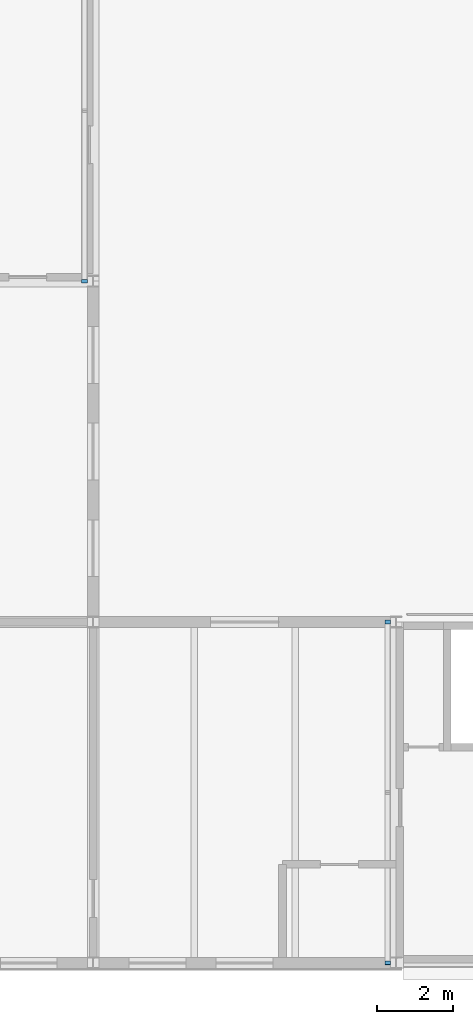
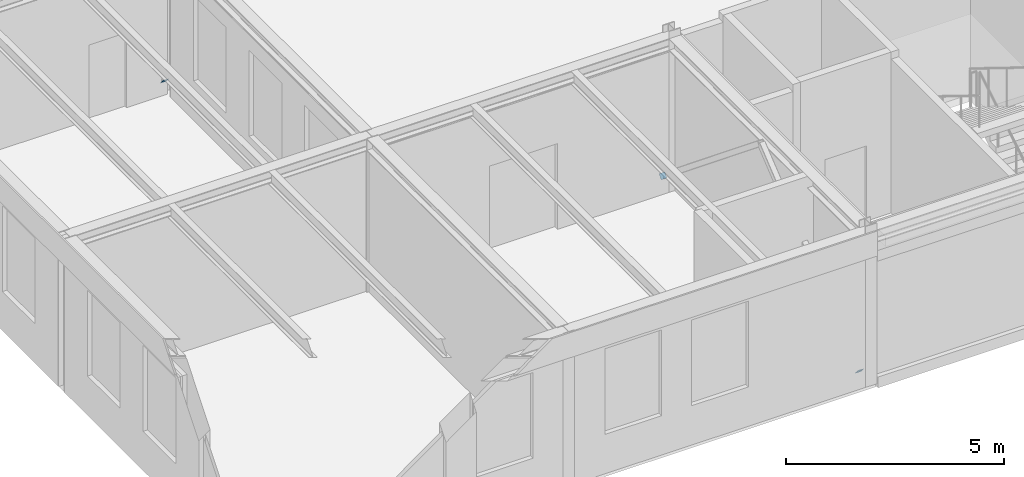
# One storey, part 103 of 149: 3 discrete accessories.
"""IFC4 building model written with IfcOpenShell, lengths in metres."""

from ifc_helpers import new_model, si_unit, direction, frame, origin, origin_2d, place, context, subcontext, project, spatial, rectangle, extrude, material, material_profile, profile_set, type_object, element, save


model = new_model("IFC4")

# Units and contexts
model_context = context("Model", 3, precision=1e-05, world=origin(), true_north=direction((0.0, 1.0)))
body_context = subcontext(model_context, "Body", "Model", "MODEL_VIEW")
ifc_project = project(units=[si_unit("LENGTHUNIT", "METRE"), si_unit("AREAUNIT", "SQUARE_METRE"), si_unit("VOLUMEUNIT", "CUBIC_METRE"), si_unit("PLANEANGLEUNIT", "RADIAN"), si_unit("MASSUNIT", "GRAM", prefix="KILO")], contexts=[model_context])

# Site, building, storey
site_placement = place(None, origin())
site = spatial("IfcSite", under=ifc_project, at=site_placement, CompositionType="ELEMENT")
building_placement = place(site_placement, origin())
building = spatial("IfcBuilding", under=site, at=building_placement, Name="Kallimachos Central Library", CompositionType="ELEMENT")
storey_placement = place(building_placement, frame((0.0, 0.0, 9.89990234375)))
storey = spatial("IfcBuildingStorey", under=building, at=storey_placement, Name="L02", CompositionType="ELEMENT", Elevation=9.89990234375)

# Discrete accessories
ifc_material = material(Name="Steel S355J2", Category="steel")
ifc_material_profile = material_profile(ifc_material, rectangle(XDim=0.14990234375, YDim=0.14990234375, at=origin_2d()), Name="End cap plate 10, 150x150")
ifc_profile_set = profile_set([ifc_material_profile], Name="Steel S355J2")
discrete_accessory_type = type_object("IfcDiscreteAccessoryType", Name="End cap plate 10, 150x150", PredefinedType="BRACKET", material=ifc_profile_set)
for number, where, z_axis, x_axis, name in (
    (1, (13.77490234375, 26.9921875, 0.393798828125), (0.0, 0.776114000116, 0.630592625094), (-1.0, 0.0, 0.0), "End cap plate"),
    (2, (21.77490234375, 8.9921875, 0.393798828125), (0.0, 0.776114000116, 0.630592625094), (-1.0, 0.0, 0.0), "End cap plate"),
    (3, (21.77490234375, 18.0078125, 0.393798828125), (0.0, -0.776114000116, 0.630592625094), (1.0, 0.0, 0.0), "End cap plate"),
):
    element("IfcDiscreteAccessory", number, at=place(storey_placement, frame(where, z_axis=z_axis, x_axis=x_axis)), inside=storey, type_object=discrete_accessory_type, Name=name, PredefinedType="BRACKET", context=body_context, shape_type="SweptSolid", body=[
        extrude(rectangle(XDim=0.14990234375, YDim=0.14990234375, at=origin_2d()), origin(), (0.0, 0.0, 1.0), 0.010009765625),
    ])

save(model, "model.ifc")
